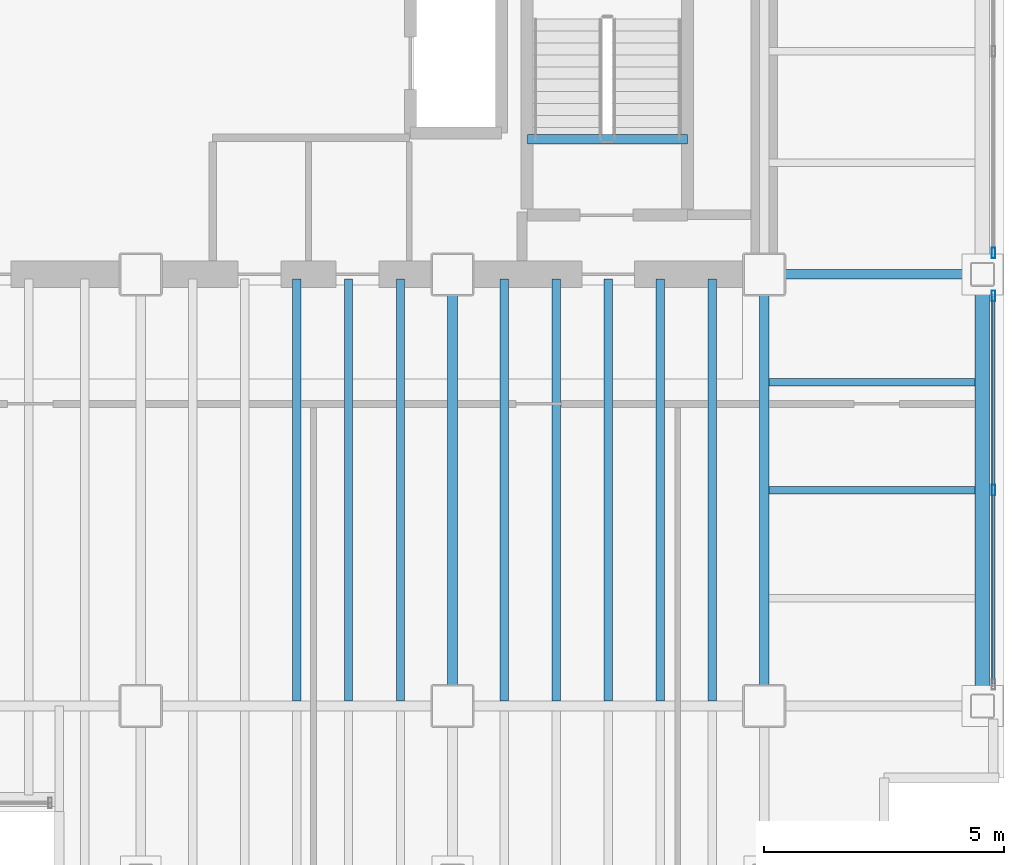
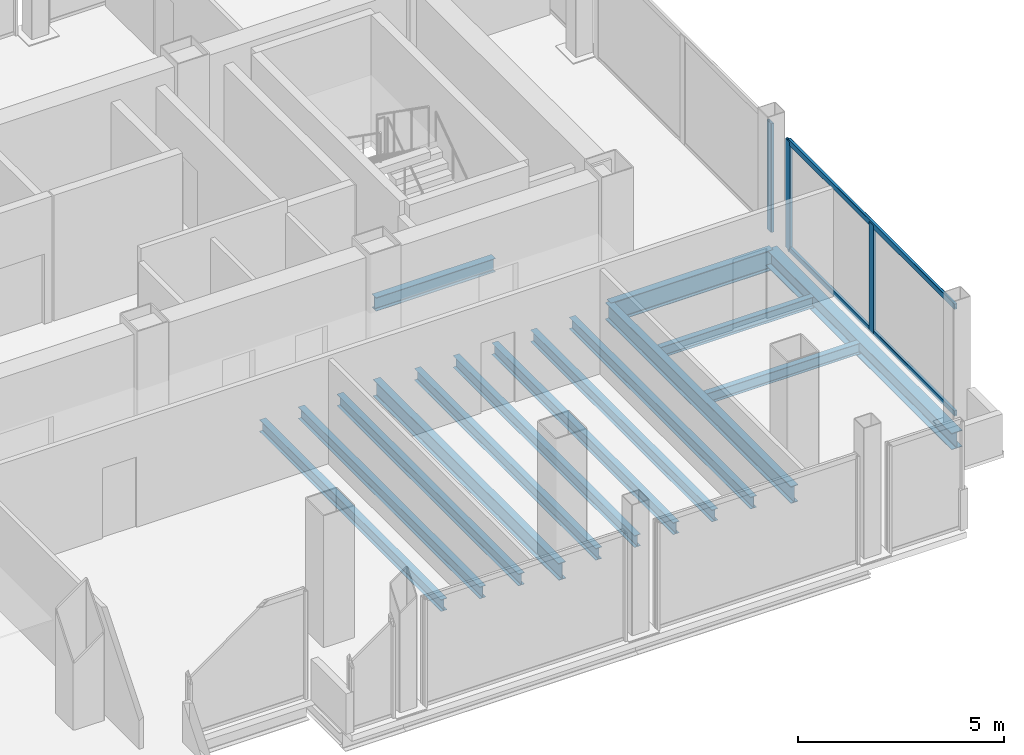
# One storey, part 12 of 18: 15 beams, 5 members, 2 elements without a shape of their own.
"""IFC4 building model written with IfcOpenShell, lengths in metres."""

from ifc_helpers import new_model, si_unit, direction, frame, origin, origin_2d, place, context, subcontext, project, spatial, hollow_rectangle, i_section, extrude, material, material_profile, profile_set, type_object, element, aggregate, save


model = new_model("IFC4")

# Units and contexts
model_context = context("Model", 3, precision=1e-05, world=origin(), true_north=direction((0.0, 1.0)))
body_context = subcontext(model_context, "Body", "Model", "MODEL_VIEW")
ifc_project = project(units=[si_unit("LENGTHUNIT", "METRE"), si_unit("AREAUNIT", "SQUARE_METRE"), si_unit("VOLUMEUNIT", "CUBIC_METRE"), si_unit("PLANEANGLEUNIT", "RADIAN"), si_unit("MASSUNIT", "GRAM", prefix="KILO")], contexts=[model_context])

# Site, building, storey
site_placement = place(None, origin())
site = spatial("IfcSite", under=ifc_project, at=site_placement, CompositionType="ELEMENT")
building_placement = place(site_placement, origin())
building = spatial("IfcBuilding", under=site, at=building_placement, Name="Noeulbin Bourse Tower", CompositionType="ELEMENT")
storey_placement = place(building_placement, frame((0.0, 0.0, 161.699951171875)))
storey = spatial("IfcBuildingStorey", under=building, at=storey_placement, Name="L40", CompositionType="ELEMENT", Elevation=161.699951171875)

# Beams
ifc_material_1 = material(Name="Steel S355", Category="steel")
ifc_material_profile_1 = material_profile(ifc_material_1, i_section(OverallWidth=0.199951171875, OverallDepth=0.5, WebThickness=0.010009765625, FlangeThickness=0.01611328125, FilletRadius=0.02001953125, at=origin_2d()), Name="H-500x200x10x16", Category="LoadBearing")
ifc_profile_set_1 = profile_set([ifc_material_profile_1], Name="Steel S355")
beam_type_1 = type_object("IfcBeamType", Name="BM-GRD-500", PredefinedType="USERDEFINED", material=ifc_profile_set_1)
for number, where, z_axis, x_axis, name in (
    (1, (37.5, 20.0, -0.429931640625), (0.0, 1.0, 0.0), (-1.0, 0.0, 0.0), "Tower Primary Girder NS L40-4.2"),
    (2, (44.0, 20.0, -0.429931640625), (0.0, 1.0, 0.0), (-1.0, 0.0, 0.0), "Tower Primary Girder NS L40-5.2"),
):
    element("IfcBeam", number, at=place(storey_placement, frame(where, z_axis=z_axis, x_axis=x_axis)), inside=storey, type_object=beam_type_1, Name=name, ObjectType="GIRDER", PredefinedType="USERDEFINED", context=body_context, shape_type="SweptSolid", body=[
        extrude(i_section(OverallWidth=0.199951171875, OverallDepth=0.5, WebThickness=0.010009765625, FlangeThickness=0.01611328125, FilletRadius=0.02001953125, at=origin_2d()), origin(), (0.0, 0.0, 1.0), 9.0),
    ])
ifc_material_profile_2 = material_profile(ifc_material_1, i_section(OverallWidth=0.199951171875, OverallDepth=0.60009765625, WebThickness=0.010986328125, FlangeThickness=0.01708984375, FilletRadius=0.02197265625, at=origin_2d()), Name="H-600x200x11x17", Category="LoadBearing")
ifc_profile_set_2 = profile_set([ifc_material_profile_2], Name="Steel S355")
beam_type_2 = type_object("IfcBeamType", Name="BM-GRD-600", PredefinedType="USERDEFINED", material=ifc_profile_set_2)
beam_1_placement = place(storey_placement, frame((44.0, 29.0, -0.47998046875), z_axis=(1.0, 0.0, 0.0), x_axis=(0.0, 1.0, 0.0)))
element("IfcBeam", 3, at=beam_1_placement, inside=storey, type_object=beam_type_2, Name="Tower Primary Girder EW L40-2.6", ObjectType="GIRDER", PredefinedType="USERDEFINED", context=body_context, shape_type="SweptSolid", body=[
    extrude(i_section(OverallWidth=0.199951171875, OverallDepth=0.60009765625, WebThickness=0.010986328125, FlangeThickness=0.01708984375, FilletRadius=0.02197265625, at=origin_2d()), origin(), (0.0, 0.0, 1.0), 4.550048828125),
])
ifc_material_profile_3 = material_profile(ifc_material_1, i_section(OverallWidth=0.159912109375, OverallDepth=0.320068359375, WebThickness=0.006591796875, FlangeThickness=0.010009765625, FilletRadius=0.012939453125, at=origin_2d()), Name="H-320x160x6.5x10", Category="LoadBearing")
ifc_profile_set_3 = profile_set([ifc_material_profile_3], Name="Steel S355")
beam_type_3 = type_object("IfcBeamType", Name="BM-JST-320", PredefinedType="JOIST", material=ifc_profile_set_3)
for number, where, z_axis, x_axis, name in (
    (4, (44.10009765625, 24.5, -0.33984375), (1.0, 0.0, 0.0), (0.0, 1.0, 0.0), "Wing Composite Joist L40-E74"),
    (5, (44.10009765625, 26.75, -0.33984375), (1.0, 0.0, 0.0), (0.0, 1.0, 0.0), "Wing Composite Joist L40-E75"),
):
    element("IfcBeam", number, at=place(storey_placement, frame(where, z_axis=z_axis, x_axis=x_axis)), inside=storey, type_object=beam_type_3, Name=name, PredefinedType="JOIST", context=body_context, shape_type="SweptSolid", body=[
        extrude(i_section(OverallWidth=0.159912109375, OverallDepth=0.320068359375, WebThickness=0.006591796875, FlangeThickness=0.010009765625, FilletRadius=0.012939453125, at=origin_2d()), origin(), (0.0, 0.0, 1.0), 4.2998046875),
    ])
ifc_material_profile_4 = material_profile(ifc_material_1, i_section(OverallWidth=0.175048828125, OverallDepth=0.35009765625, WebThickness=0.007080078125, FlangeThickness=0.010986328125, FilletRadius=0.013916015625, at=origin_2d()), Name="H-350x175x7x11", Category="LoadBearing")
ifc_profile_set_4 = profile_set([ifc_material_profile_4], Name="Steel S355")
beam_type_4 = type_object("IfcBeamType", Name="BM-JST-350", PredefinedType="JOIST", material=ifc_profile_set_4)
for number, where, z_axis, x_axis, name in (
    (6, (34.25, 20.10009765625, -0.35498046875), (0.0, 1.0, 0.0), (-1.0, 0.0, 0.0), "Tower Composite Joist L40-47"),
    (7, (35.333251953125, 20.10009765625, -0.35498046875), (0.0, 1.0, 0.0), (-1.0, 0.0, 0.0), "Tower Composite Joist L40-50"),
    (8, (36.416748046875, 20.10009765625, -0.35498046875), (0.0, 1.0, 0.0), (-1.0, 0.0, 0.0), "Tower Composite Joist L40-53"),
    (9, (38.583251953125, 20.10009765625, -0.35498046875), (0.0, 1.0, 0.0), (-1.0, 0.0, 0.0), "Tower Composite Joist L40-56"),
    (10, (39.666748046875, 20.10009765625, -0.35498046875), (0.0, 1.0, 0.0), (-1.0, 0.0, 0.0), "Tower Composite Joist L40-59"),
    (11, (40.75, 20.10009765625, -0.35498046875), (0.0, 1.0, 0.0), (-1.0, 0.0, 0.0), "Tower Composite Joist L40-62"),
    (12, (41.833251953125, 20.10009765625, -0.35498046875), (0.0, 1.0, 0.0), (-1.0, 0.0, 0.0), "Tower Composite Joist L40-65"),
    (13, (42.916748046875, 20.10009765625, -0.35498046875), (0.0, 1.0, 0.0), (-1.0, 0.0, 0.0), "Tower Composite Joist L40-68"),
):
    element("IfcBeam", number, at=place(storey_placement, frame(where, z_axis=z_axis, x_axis=x_axis)), inside=storey, type_object=beam_type_4, Name=name, PredefinedType="JOIST", context=body_context, shape_type="SweptSolid", body=[
        extrude(i_section(OverallWidth=0.175048828125, OverallDepth=0.35009765625, WebThickness=0.007080078125, FlangeThickness=0.010986328125, FilletRadius=0.013916015625, at=origin_2d()), origin(), (0.0, 0.0, 1.0), 8.7998046875),
    ])
ifc_material_profile_5 = material_profile(ifc_material_1, i_section(OverallWidth=0.199951171875, OverallDepth=0.39990234375, WebThickness=0.008056640625, FlangeThickness=0.012939453125, FilletRadius=0.01611328125, at=origin_2d()), Name="H-400x200x8x13", Category="LoadBearing")
ifc_profile_set_5 = profile_set([ifc_material_profile_5], Name="Steel S355")
beam_type_5 = type_object("IfcBeamType", Name="BM-SEC-400", PredefinedType="BEAM", material=ifc_profile_set_5)
beam_2_placement = place(storey_placement, frame((39.06005859375, 31.820068359375, -0.199951171875), z_axis=(1.0, 0.0, 0.0), x_axis=(0.0, 1.0, 0.0)))
element("IfcBeam", 14, at=beam_2_placement, inside=storey, type_object=beam_type_5, Name="Stair Threshold Trimmer Beam ST2-L40", PredefinedType="BEAM", context=body_context, shape_type="SweptSolid", body=[
    extrude(i_section(OverallWidth=0.199951171875, OverallDepth=0.39990234375, WebThickness=0.008056640625, FlangeThickness=0.012939453125, FilletRadius=0.01611328125, at=origin_2d()), origin(), (0.0, 0.0, 1.0), 3.33984375),
])
ifc_material_profile_6 = material_profile(ifc_material_1, i_section(OverallWidth=0.300048828125, OverallDepth=0.488037109375, WebThickness=0.010986328125, FlangeThickness=0.01806640625, FilletRadius=0.02197265625, at=origin_2d()), Name="H-488x300x11x18", Category="LoadBearing")
ifc_profile_set_6 = profile_set([ifc_material_profile_6], Name="Steel S355")
beam_type_6 = type_object("IfcBeamType", Name="BM-SPN-488", PredefinedType="SPANDREL", material=ifc_profile_set_6)
beam_3_placement = place(storey_placement, frame((48.550048828125, 20.0, -0.424072265625), z_axis=(0.0, 1.0, 0.0), x_axis=(-1.0, 0.0, 0.0)))
element("IfcBeam", 15, at=beam_3_placement, inside=storey, type_object=beam_type_6, Name="East Spandrel L40-1", PredefinedType="SPANDREL", context=body_context, shape_type="SweptSolid", body=[
    extrude(i_section(OverallWidth=0.300048828125, OverallDepth=0.488037109375, WebThickness=0.010986328125, FlangeThickness=0.01806640625, FilletRadius=0.02197265625, at=origin_2d()), origin(), (0.0, 0.0, 1.0), 9.0),
])

# Curtain wall, members
ifc_material_2 = material(Name="Dark Tinted Triple Glazing", Category="glass")
curtain_wall_type = type_object("IfcCurtainWallType", Name="CW-SYS-3", PredefinedType="NOTDEFINED", material=ifc_material_2)
curtain_wall_1_placement = place(storey_placement, origin())
curtain_wall_1 = element("IfcCurtainWall", 16, at=curtain_wall_1_placement, inside=storey, type_object=curtain_wall_type, Name="Unitised Curtain Wall CW-L40-E-S1", PredefinedType="NOTDEFINED")
ifc_material_3 = material(Name="Anodised Aluminium 6063-T6", Category="aluminium")
ifc_material_profile_7 = material_profile(ifc_material_3, hollow_rectangle(XDim=0.074951171875, YDim=0.219970703125, WallThickness=0.0048828125, InnerFilletRadius=0.00244140625, OuterFilletRadius=0.0048828125, at=origin_2d()), Name="ALU-MULL-75x220x5", Category="LoadBearing")
ifc_profile_set_7 = profile_set([ifc_material_profile_7], Name="Anodised Aluminium 6063-T6")
member_type_1 = type_object("IfcMemberType", Name="CW-SYS-3-MUL", PredefinedType="MULLION", material=ifc_profile_set_7)
member_1_placement = place(storey_placement, frame((48.780029296875, 24.5, -0.02001953125), z_axis=(0.0, 0.0, 1.0), x_axis=(1.0, 0.0, 0.0)))
member_1 = element("IfcMember", 17, at=member_1_placement, type_object=member_type_1, Name="Curtain Wall Mullion CW-L40-E-S1-M01", PredefinedType="MULLION", context=body_context, shape_type="SweptSolid", body=[
    extrude(hollow_rectangle(XDim=0.074951171875, YDim=0.219970703125, WallThickness=0.0048828125, InnerFilletRadius=0.00244140625, OuterFilletRadius=0.0048828125, at=origin_2d()), origin(), (0.0, 0.0, 1.0), 3.219970703125),
])
member_2_placement = place(storey_placement, frame((48.780029296875, 28.550048828125, -0.02001953125), z_axis=(0.0, 0.0, 1.0), x_axis=(1.0, 0.0, 0.0)))
member_2 = element("IfcMember", 18, at=member_2_placement, type_object=member_type_1, Name="Curtain Wall Mullion CW-L40-E-S1-M02", PredefinedType="MULLION", context=body_context, shape_type="SweptSolid", body=[
    extrude(hollow_rectangle(XDim=0.074951171875, YDim=0.219970703125, WallThickness=0.0048828125, InnerFilletRadius=0.00244140625, OuterFilletRadius=0.0048828125, at=origin_2d()), origin(), (0.0, 0.0, 1.0), 3.219970703125),
])

# Curtain wall, member
curtain_wall_2_placement = place(storey_placement, origin())
curtain_wall_2 = element("IfcCurtainWall", 19, at=curtain_wall_2_placement, inside=storey, type_object=curtain_wall_type, Name="Unitised Curtain Wall CW-L40-E-S2", PredefinedType="NOTDEFINED")
member_3_placement = place(storey_placement, frame((48.780029296875, 29.449951171875, -0.02001953125), z_axis=(0.0, 0.0, 1.0), x_axis=(1.0, 0.0, 0.0)))
member_3 = element("IfcMember", 20, at=member_3_placement, type_object=member_type_1, Name="Curtain Wall Mullion CW-L40-E-S2-M00", PredefinedType="MULLION", context=body_context, shape_type="SweptSolid", body=[
    extrude(hollow_rectangle(XDim=0.074951171875, YDim=0.219970703125, WallThickness=0.0048828125, InnerFilletRadius=0.00244140625, OuterFilletRadius=0.0048828125, at=origin_2d()), origin(), (0.0, 0.0, 1.0), 3.219970703125),
])
aggregate(curtain_wall_2, [member_3])

# Member
ifc_material_profile_8 = material_profile(ifc_material_3, hollow_rectangle(XDim=0.074951171875, YDim=0.159912109375, WallThickness=0.0048828125, InnerFilletRadius=0.00244140625, OuterFilletRadius=0.0048828125, at=origin_2d()), Name="ALU-TRAN-75x160x5", Category="LoadBearing")
ifc_profile_set_8 = profile_set([ifc_material_profile_8], Name="Anodised Aluminium 6063-T6")
member_type_2 = type_object("IfcMemberType", Name="CW-SYS-3-TRN", PredefinedType="USERDEFINED", material=ifc_profile_set_8)
member_4_placement = place(storey_placement, frame((48.780029296875, 20.4599609375, 0.010009765625), z_axis=(0.0, 1.0, 0.0), x_axis=(-1.0, 0.0, 0.0)))
member_4 = element("IfcMember", 21, at=member_4_placement, type_object=member_type_2, Name="Curtain Wall Transom CW-L40-E-S1-T00", ObjectType="TRANSOM", PredefinedType="USERDEFINED", context=body_context, shape_type="SweptSolid", body=[
    extrude(hollow_rectangle(XDim=0.074951171875, YDim=0.159912109375, WallThickness=0.0048828125, InnerFilletRadius=0.00244140625, OuterFilletRadius=0.0048828125, at=origin_2d()), origin(), (0.0, 0.0, 1.0), 8.080078125),
])

member_5_placement = place(storey_placement, frame((48.780029296875, 20.4599609375, 3.170166015625), z_axis=(0.0, 1.0, 0.0), x_axis=(-1.0, 0.0, 0.0)))
member_5 = element("IfcMember", 22, at=member_5_placement, type_object=member_type_2, Name="Curtain Wall Transom CW-L40-E-S1-T01", ObjectType="TRANSOM", PredefinedType="USERDEFINED", context=body_context, shape_type="SweptSolid", body=[
    extrude(hollow_rectangle(XDim=0.074951171875, YDim=0.159912109375, WallThickness=0.0048828125, InnerFilletRadius=0.00244140625, OuterFilletRadius=0.0048828125, at=origin_2d()), origin(), (0.0, 0.0, 1.0), 8.080078125),
])

aggregate(curtain_wall_1, [member_1, member_2, member_4, member_5])

save(model, "model.ifc")
